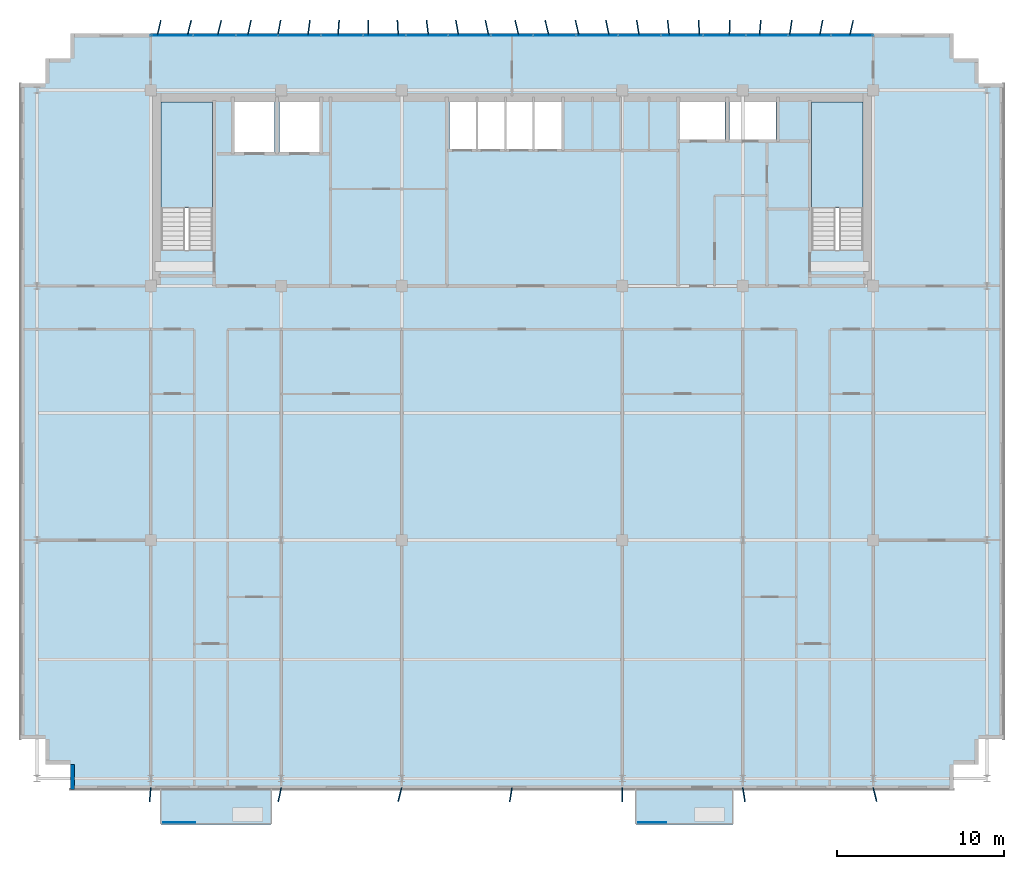
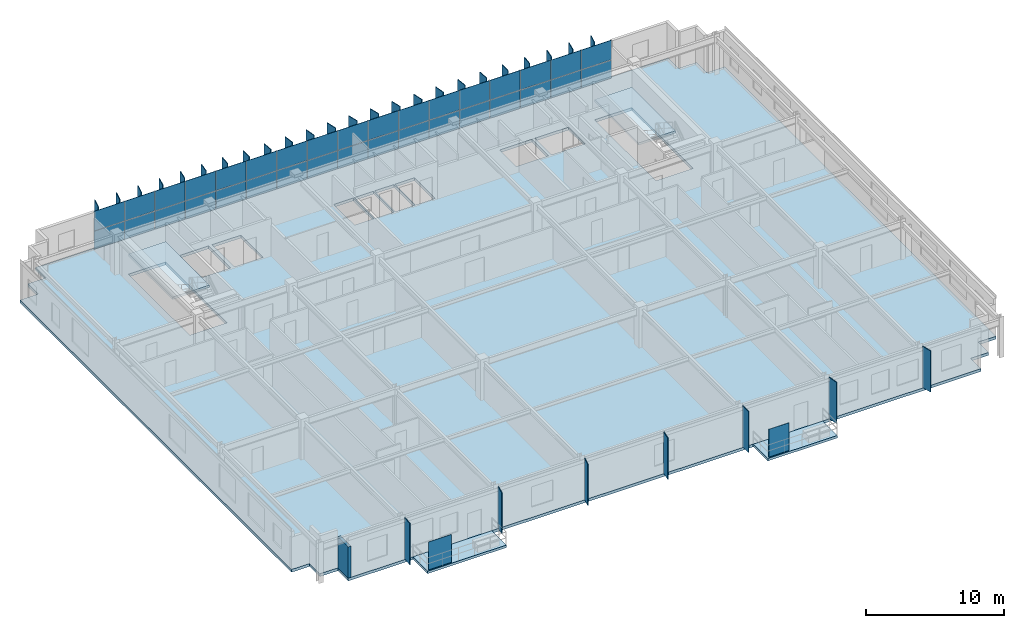
# One storey, part 13 of 20: 67 plates, 5 slabs, 1 wall, 3 elements without a shape of their own.
"""IFC4 building model written with IfcOpenShell, lengths in metres."""

from ifc_helpers import new_model, si_unit, direction, frame, frame_2d, origin, origin_2d, place, context, subcontext, project, spatial, polyline, rectangle, outline, extrude, source, transform, mapped, material, layer, layer_set, type_object, element, aggregate, save


model = new_model("IFC4")

# Units and contexts
model_context = context("Model", 3, precision=1e-05, world=origin(), true_north=direction((0.0, 1.0)))
body_context = subcontext(model_context, "Body", "Model", "MODEL_VIEW")
ifc_project = project(units=[si_unit("LENGTHUNIT", "METRE"), si_unit("AREAUNIT", "SQUARE_METRE"), si_unit("VOLUMEUNIT", "CUBIC_METRE"), si_unit("PLANEANGLEUNIT", "RADIAN"), si_unit("MASSUNIT", "GRAM", prefix="KILO")], contexts=[model_context])

# Site, building, storey
site_placement = place(None, origin())
site = spatial("IfcSite", under=ifc_project, at=site_placement, CompositionType="ELEMENT")
building_placement = place(site_placement, origin())
building = spatial("IfcBuilding", under=site, at=building_placement, Name="Trelvane Seafront Commons", CompositionType="ELEMENT")
storey_placement = place(building_placement, frame((0.0, 0.0, 150.10009765625)))
storey = spatial("IfcBuildingStorey", under=building, at=storey_placement, Name="L39", CompositionType="ELEMENT", Elevation=150.10009765625)

# Slabs
ifc_material_1 = material(Name="Concrete C40/50", Category="concrete")
ifc_layer_1 = layer(ifc_material_1, 0.219970703125, Name="ARCH-BALC-220")
ifc_layer_set_1 = layer_set([ifc_layer_1], Name="Concrete C40/50")
slab_type_1 = type_object("IfcSlabType", Name="ARCH-BALC-220", PredefinedType="FLOOR", material=ifc_layer_set_1)
slab_1_placement = place(storey_placement, frame((0.0, 0.0, -0.22021484375)))
element("IfcSlab", 1, at=slab_1_placement, inside=storey, type_object=slab_type_1, Name="L39 Cantilevered Tree Balcony Loggia 1", PredefinedType="FLOOR", context=body_context, shape_type="SweptSolid", body=[
    extrude(outline(polyline([(16.199951171875, 1.199951171875), (22.800048828125, 1.199951171875), (22.800048828125, 3.300048828125), (16.199951171875, 3.300048828125), (16.199951171875, 1.199951171875)])), origin(), (0.0, 0.0, 1.0), 0.22021484375),
])
slab_2_placement = place(storey_placement, frame((0.0, 0.0, -0.22021484375)))
element("IfcSlab", 2, at=slab_2_placement, inside=storey, type_object=slab_type_1, Name="L39 Cantilevered Tree Balcony Loggia 2", PredefinedType="FLOOR", context=body_context, shape_type="SweptSolid", body=[
    extrude(outline(polyline([(44.60009765625, 1.199951171875), (50.39990234375, 1.199951171875), (50.39990234375, 3.300048828125), (44.60009765625, 3.300048828125), (44.60009765625, 1.199951171875)])), origin(), (0.0, 0.0, 1.0), 0.22021484375),
])

# Stair, slab
stair_type_1 = type_object("IfcStairType", Name="ARCH-STR-ST-1-R20-180", PredefinedType="HALF_TURN_STAIR", material=ifc_material_1)
stair_1_placement = place(storey_placement, origin())
stair_1 = element("IfcStair", 3, at=stair_1_placement, inside=storey, type_object=stair_type_1, Name="L39 West Protected Firefighting Exit Stair ST-1", PredefinedType="HALF_TURN_STAIR")
ifc_layer_2 = layer(ifc_material_1, 0.199951171875, Name="ARCH-LND-200")
ifc_layer_set_2 = layer_set([ifc_layer_2], Name="Concrete C40/50")
slab_type_2 = type_object("IfcSlabType", Name="ARCH-LND-200", PredefinedType="LANDING", material=ifc_layer_set_2)
slab_3_placement = place(storey_placement, frame((0.0, 0.0, 1.599853515625)))
slab_3 = element("IfcSlab", 4, at=slab_3_placement, type_object=slab_type_2, Name="ST-1 landing 1", PredefinedType="LANDING", context=body_context, shape_type="SweptSolid", body=[
    extrude(outline(polyline([(19.300048828125, 38.070068359375), (19.300048828125, 44.39990234375), (16.199951171875, 44.39990234375), (16.199951171875, 38.070068359375), (19.300048828125, 38.070068359375)])), origin(), (0.0, 0.0, 1.0), 0.199951171875),
])
aggregate(stair_1, [slab_3])

stair_type_2 = type_object("IfcStairType", Name="ARCH-STR-ST-2-R20-180", PredefinedType="HALF_TURN_STAIR", material=ifc_material_1)
stair_2_placement = place(storey_placement, origin())
stair_2 = element("IfcStair", 5, at=stair_2_placement, inside=storey, type_object=stair_type_2, Name="L39 East Protected Firefighting Exit Stair ST-2", PredefinedType="HALF_TURN_STAIR")
slab_4_placement = place(storey_placement, frame((0.0, 0.0, 1.599853515625)))
slab_4 = element("IfcSlab", 6, at=slab_4_placement, type_object=slab_type_2, Name="ST-2 landing 1", PredefinedType="LANDING", context=body_context, shape_type="SweptSolid", body=[
    extrude(outline(polyline([(58.199951171875, 38.070068359375), (58.199951171875, 44.39990234375), (55.10009765625, 44.39990234375), (55.10009765625, 38.070068359375), (58.199951171875, 38.070068359375)])), origin(), (0.0, 0.0, 1.0), 0.199951171875),
])
aggregate(stair_2, [slab_4])

# Slab
ifc_material_2 = material(Name="Concrete C50/60", Category="concrete")
ifc_layer_3 = layer(ifc_material_2, 0.25, Name="STR-SLB-Z3-250")
ifc_layer_set_3 = layer_set([ifc_layer_3], Name="Concrete C50/60")
slab_type_3 = type_object("IfcSlabType", Name="STR-SLB-Z3-250", PredefinedType="FLOOR", material=ifc_layer_set_3)
slab_5_placement = place(storey_placement, frame((0.0, 0.0, -0.25)))
element("IfcSlab", 7, at=slab_5_placement, inside=storey, type_object=slab_type_3, Name="L39 Structural Floor Slab", PredefinedType="FLOOR", context=body_context, shape_type="SweptSolid", body=[
    extrude(outline(polyline([(10.800048828125, 3.300048828125), (63.60009765625, 3.300048828125), (63.60009765625, 4.800048828125), (65.10009765625, 4.800048828125), (65.10009765625, 6.300048828125), (66.60009765625, 6.300048828125), (66.60009765625, 45.5), (65.10009765625, 45.5), (65.10009765625, 47.0), (63.60009765625, 47.0), (63.60009765625, 48.5), (10.800048828125, 48.5), (10.800048828125, 47.0), (9.300048828125, 47.0), (9.300048828125, 45.5), (7.800048828125, 45.5), (7.800048828125, 6.300048828125), (9.300048828125, 6.300048828125), (9.300048828125, 4.800048828125), (10.800048828125, 4.800048828125), (10.800048828125, 3.300048828125)]), holes=[polyline([(19.300048828125, 35.550048828125), (16.199951171875, 35.550048828125), (16.199951171875, 44.39990234375), (19.300048828125, 44.39990234375), (19.300048828125, 35.550048828125)]), polyline([(58.199951171875, 35.550048828125), (55.10009765625, 35.550048828125), (55.10009765625, 44.39990234375), (58.199951171875, 44.39990234375), (58.199951171875, 35.550048828125)]), polyline([(23.0, 41.39990234375), (20.60009765625, 41.39990234375), (20.60009765625, 44.60009765625), (23.0, 44.60009765625), (23.0, 41.39990234375)]), polyline([(23.300048828125, 41.39990234375), (23.300048828125, 44.60009765625), (25.699951171875, 44.60009765625), (25.699951171875, 41.39990234375), (23.300048828125, 41.39990234375)]), polyline([(33.449951171875, 41.60009765625), (33.449951171875, 44.60009765625), (35.070068359375, 44.60009765625), (35.070068359375, 41.60009765625), (33.449951171875, 41.60009765625)]), polyline([(36.77001953125, 41.60009765625), (35.14990234375, 41.60009765625), (35.14990234375, 44.60009765625), (36.77001953125, 44.60009765625), (36.77001953125, 41.60009765625)]), polyline([(38.469970703125, 41.60009765625), (36.85009765625, 41.60009765625), (36.85009765625, 44.60009765625), (38.469970703125, 44.60009765625), (38.469970703125, 41.60009765625)]), polyline([(40.169921875, 41.60009765625), (38.550048828125, 41.60009765625), (38.550048828125, 44.60009765625), (40.169921875, 44.60009765625), (40.169921875, 41.60009765625)]), polyline([(47.25, 42.14990234375), (47.25, 44.550048828125), (49.949951171875, 44.550048828125), (49.949951171875, 42.14990234375), (47.25, 42.14990234375)]), polyline([(50.199951171875, 42.14990234375), (50.199951171875, 44.550048828125), (53.0, 44.550048828125), (53.0, 42.14990234375), (50.199951171875, 42.14990234375)])]), origin(), (0.0, 0.0, 1.0), 0.25),
])

# Plates
ifc_material_3 = material(Name="Perforated anodised aluminium screen", Category="aluminium")
ifc_layer_4 = layer(ifc_material_3, 0.01611328125, Name="ARCH-PLATE-SCREEN")
ifc_layer_set_4 = layer_set([ifc_layer_4], Name="Perforated anodised aluminium screen")
plate_type_1 = type_object("IfcPlateType", Name="ARCH-PLATE-SCREEN", PredefinedType="USERDEFINED", material=ifc_layer_set_4)
shared_shape_1 = source(origin(), body_context, "Body", "SweptSolid", [
    extrude(rectangle(XDim=1.9140625, YDim=0.01611328125, at=origin_2d()), origin(), (0.0, 0.0, 1.0), 2.449951171875),
])
plate_1_placement = place(storey_placement, frame((17.306884765625, 1.320068359375, 0.0), z_axis=(0.0, 0.0, 1.0), x_axis=(1.0, 0.0, 0.0)))
element("IfcPlate", 8, at=plate_1_placement, inside=storey, type_object=plate_type_1, Name="SCR-L39-00142", ObjectType="SCREEN", PredefinedType="USERDEFINED", context=body_context, shape_type="MappedRepresentation", body=[
    mapped(shared_shape_1, transform((0.0, 0.0, 0.0), x_axis=(1.0, 0.0, 0.0), y_axis=(0.0, 1.0, 0.0), z_axis=(0.0, 0.0, 1.0), scale=1.0)),
])
shared_shape_2 = source(origin(), body_context, "Body", "SweptSolid", [
    extrude(rectangle(XDim=1.681884765625, YDim=0.01611328125, at=origin_2d()), origin(), (0.0, 0.0, 1.0), 2.449951171875),
])
plate_2_placement = place(storey_placement, frame((45.591064453125, 1.320068359375, 0.0), z_axis=(0.0, 0.0, 1.0), x_axis=(1.0, 0.0, 0.0)))
element("IfcPlate", 9, at=plate_2_placement, inside=storey, type_object=plate_type_1, Name="SCR-L39-00143", ObjectType="SCREEN", PredefinedType="USERDEFINED", context=body_context, shape_type="MappedRepresentation", body=[
    mapped(shared_shape_2, transform((0.0, 0.0, 0.0), x_axis=(1.0, 0.0, 0.0), y_axis=(0.0, 1.0, 0.0), z_axis=(0.0, 0.0, 1.0), scale=1.0)),
])
ifc_material_4 = material(Name="Anodised pale-silver aluminium", Category="aluminium")
ifc_layer_5 = layer(ifc_material_4, 0.06005859375, Name="ARCH-PLATE-FIN900")
ifc_layer_set_5 = layer_set([ifc_layer_5], Name="Anodised pale-silver aluminium")
plate_type_2 = type_object("IfcPlateType", Name="ARCH-PLATE-FIN900", PredefinedType="USERDEFINED", material=ifc_layer_set_5)
shared_shape_3 = source(origin(), body_context, "Body", "SweptSolid", [
    extrude(rectangle(XDim=0.89990234375, YDim=0.06005859375, at=origin_2d()), origin(), (0.0, 0.0, 1.0), 3.639892578125),
])
for number, where, z_axis, x_axis, name in (
    (10, (16.1015625, 48.83837890625, -0.02001953125), (0.0, 0.0, 1.0), (0.225558123616, 0.974229712579, 0.0), "FIN-L39-01061"),
    (11, (17.908203125, 48.836669921875, -0.02001953125), (0.0, 0.0, 1.0), (0.240678679058, 0.970604849281, 0.0), "FIN-L39-01062"),
    (12, (19.707275390625, 48.8369140625, -0.02001953125), (0.0, 0.0, 1.0), (0.238455489153, 0.971153427473, 0.0), "FIN-L39-01063"),
    (13, (21.498291015625, 48.839111328125, -0.02001953125), (0.0, 0.0, 1.0), (0.218671231224, 0.975798592249, 0.0), "FIN-L39-01064"),
    (14, (23.2822265625, 48.84228515625, -0.02001953125), (0.0, 0.0, 1.0), (0.182892752389, 0.983132870534, 0.0), "FIN-L39-01065"),
    (15, (25.06005859375, 48.845947265625, -0.02001953125), (0.0, 0.0, 1.0), (0.133328911051, 0.991071844761, 0.0), "FIN-L39-01066"),
    (16, (26.8330078125, 48.848876953125, -0.02001953125), (0.0, 0.0, 1.0), (0.073441850729, 0.997299500933, 0.0), "FIN-L39-01067"),
    (17, (28.603515625, 48.85009765625, -0.02001953125), (0.0, 0.0, 1.0), (0.007888806392, 0.999968882883, 0.0), "FIN-L39-01068"),
    (18, (30.373779296875, 48.84912109375, -0.02001953125), (0.0, 0.0, 1.0), (-0.058220912512, 0.998303723997, 0.0), "FIN-L39-01069"),
    (19, (32.14599609375, 48.8466796875, -0.02001953125), (0.0, 0.0, 1.0), (-0.119779897261, 0.992800471501, 0.0), "FIN-L39-01070"),
    (20, (33.922607421875, 48.84326171875, -0.02001953125), (0.0, 0.0, 1.0), (-0.172212784267, 0.98505977328, 0.0), "FIN-L39-01071"),
    (21, (35.704833984375, 48.83984375, -0.02001953125), (0.0, 0.0, 1.0), (-0.211561912079, 0.977364597966, 0.0), "FIN-L39-01072"),
    (22, (37.494140625, 48.83740234375, -0.02001953125), (0.0, 0.0, 1.0), (-0.235233717224, 0.97193883464, 0.0), "FIN-L39-01073"),
    (23, (39.291259765625, 48.836669921875, -0.02001953125), (0.0, 0.0, 1.0), (-0.241777946669, 0.970331605434, 0.0), "FIN-L39-01074"),
    (24, (41.09619140625, 48.837890625, -0.02001953125), (0.0, 0.0, 1.0), (-0.230674744154, 0.973030915444, 0.0), "FIN-L39-01075"),
    (25, (42.90869140625, 48.840576171875, -0.02001953125), (0.0, 0.0, 1.0), (-0.202671077426, 0.979246871006, 0.0), "FIN-L39-01076"),
    (26, (44.728271484375, 48.84423828125, -0.02001953125), (0.0, 0.0, 1.0), (-0.159550386184, 0.987189786347, 0.0), "FIN-L39-01077"),
    (27, (46.552978515625, 48.847412109375, -0.02001953125), (0.0, 0.0, 1.0), (-0.104441674462, 0.994531013411, 0.0), "FIN-L39-01078"),
    (28, (48.381591796875, 48.849609375, -0.02001953125), (0.0, 0.0, 1.0), (-0.041113601765, 0.999154478422, 0.0), "FIN-L39-01079"),
    (29, (50.21142578125, 48.849853515625, -0.02001953125), (0.0, 0.0, 1.0), (0.025334233951, 0.999679036786, 0.0), "FIN-L39-01080"),
    (30, (52.040283203125, 48.84814453125, -0.02001953125), (0.0, 0.0, 1.0), (0.08988515189, 0.995952137138, 0.0), "FIN-L39-01081"),
    (31, (53.8662109375, 48.84521484375, -0.02001953125), (0.0, 0.0, 1.0), (0.147438276694, 0.989071258588, 0.0), "FIN-L39-01082"),
    (32, (55.687255859375, 48.841552734375, -0.02001953125), (0.0, 0.0, 1.0), (0.193659055706, 0.98106889164, 0.0), "FIN-L39-01083"),
    (33, (57.50146484375, 48.83837890625, -0.02001953125), (0.0, 0.0, 1.0), (0.225558123616, 0.974229712579, 0.0), "FIN-L39-01084"),
):
    element("IfcPlate", number, at=place(storey_placement, frame(where, z_axis=z_axis, x_axis=x_axis)), inside=storey, type_object=plate_type_2, Name=name, ObjectType="FIN", PredefinedType="USERDEFINED", context=body_context, shape_type="MappedRepresentation", body=[
        mapped(shared_shape_3, transform((0.0, 0.0, 0.0), x_axis=(1.0, 0.0, 0.0), y_axis=(0.0, 1.0, 0.0), z_axis=(0.0, 0.0, 1.0), scale=1.0)),
    ])
shared_shape_4 = source(origin(), body_context, "Body", "SweptSolid", [
    extrude(rectangle(XDim=0.85009765625, YDim=0.06005859375, at=origin_2d()), origin(), (0.0, 0.0, 1.0), 3.639892578125),
])
for number, where, z_axis, x_axis, name in (
    (34, (15.566650390625, 2.976318359375, -0.02001953125), (0.0, 0.0, 1.0), (-0.078234640322, -0.996934973333, 0.0), "FIN-S-L39-01085"),
    (35, (23.311767578125, 2.984130859375, -0.02001953125), (0.0, 0.0, 1.0), (-0.207414871844, -0.978253071009, 0.0), "FIN-S-L39-01086"),
    (36, (30.498291015625, 2.9873046875, -0.02001953125), (0.0, 0.0, 1.0), (-0.239046993767, -0.971007999334, 0.0), "FIN-S-L39-01087"),
    (37, (37.132080078125, 2.98046875, -0.02001953125), (0.0, 0.0, 1.0), (-0.159646871809, -0.987174187427, 0.0), "FIN-S-L39-01088"),
    (38, (43.79833984375, 2.97509765625, -0.02001953125), (0.0, 0.0, 1.0), (-0.003764666304, -0.999992913619, 0.0), "FIN-S-L39-01089"),
    (39, (51.0654296875, 2.97998046875, -0.02001953125), (0.0, 0.0, 1.0), (0.153877487159, -0.988089934644, 0.0), "FIN-S-L39-01090"),
    (40, (58.90087890625, 2.9873046875, -0.02001953125), (0.0, 0.0, 1.0), (0.237770657007, -0.971321324108, 0.0), "FIN-S-L39-01091"),
):
    element("IfcPlate", number, at=place(storey_placement, frame(where, z_axis=z_axis, x_axis=x_axis)), inside=storey, type_object=plate_type_2, Name=name, ObjectType="FIN", PredefinedType="USERDEFINED", context=body_context, shape_type="MappedRepresentation", body=[
        mapped(shared_shape_4, transform((0.0, 0.0, 0.0), x_axis=(1.0, 0.0, 0.0), y_axis=(0.0, 1.0, 0.0), z_axis=(0.0, 0.0, 1.0), scale=1.0)),
    ])

# Curtain wall, plates
curtain_wall_type = type_object("IfcCurtainWallType", Name="ARCH-CW5-UPTOWER", PredefinedType="NOTDEFINED", material=ifc_material_4)
curtain_wall_placement = place(storey_placement, origin())
curtain_wall = element("IfcCurtainWall", 41, at=curtain_wall_placement, inside=storey, type_object=curtain_wall_type, Name="CW-L39-0066", PredefinedType="NOTDEFINED")
ifc_material_5 = material(Name="Low-E coastal double glazing", Category="glass")
ifc_layer_6 = layer(ifc_material_5, 0.033935546875, Name="ARCH-CW-GLAZ-34")
ifc_layer_set_6 = layer_set([ifc_layer_6], Name="Low-E coastal double glazing")
plate_type_3 = type_object("IfcPlateType", Name="ARCH-CW-GLAZ-34", PredefinedType="CURTAIN_PANEL", material=ifc_layer_set_6)
shared_shape_5 = source(origin(), body_context, "Body", "SweptSolid", [
    extrude(rectangle(XDim=2.51708984375, YDim=0.033935546875, at=origin_2d()), origin(), (0.0, 0.0, 1.0), 1.590087890625),
])
plate_3_placement = place(storey_placement, frame((16.87060546875, 48.3701171875, 0.0), z_axis=(0.0, 0.0, 1.0), x_axis=(1.0, 0.0, 0.0)))
plate_3 = element("IfcPlate", 42, at=plate_3_placement, type_object=plate_type_3, Name="CW-L39-0066-P00-1", PredefinedType="CURTAIN_PANEL", context=body_context, shape_type="MappedRepresentation", body=[
    mapped(shared_shape_5, transform((0.0, 0.0, 0.0), x_axis=(1.0, 0.0, 0.0), y_axis=(0.0, 1.0, 0.0), z_axis=(0.0, 0.0, 1.0), scale=1.0)),
])
plate_4_placement = place(storey_placement, frame((19.411865234375, 48.3701171875, 0.0), z_axis=(0.0, 0.0, 1.0), x_axis=(1.0, 0.0, 0.0)))
plate_4 = element("IfcPlate", 43, at=plate_4_placement, type_object=plate_type_3, Name="CW-L39-0066-P01-1", PredefinedType="CURTAIN_PANEL", context=body_context, shape_type="MappedRepresentation", body=[
    mapped(shared_shape_5, transform((0.0, 0.0, 0.0), x_axis=(1.0, 0.0, 0.0), y_axis=(0.0, 1.0, 0.0), z_axis=(0.0, 0.0, 1.0), scale=1.0)),
])
plate_5_placement = place(storey_placement, frame((21.952880859375, 48.3701171875, 0.0), z_axis=(0.0, 0.0, 1.0), x_axis=(1.0, 0.0, 0.0)))
plate_5 = element("IfcPlate", 44, at=plate_5_placement, type_object=plate_type_3, Name="CW-L39-0066-P02-1", PredefinedType="CURTAIN_PANEL", context=body_context, shape_type="MappedRepresentation", body=[
    mapped(shared_shape_5, transform((0.0, 0.0, 0.0), x_axis=(1.0, 0.0, 0.0), y_axis=(0.0, 1.0, 0.0), z_axis=(0.0, 0.0, 1.0), scale=1.0)),
])
plate_6_placement = place(storey_placement, frame((24.494140625, 48.3701171875, 0.0), z_axis=(0.0, 0.0, 1.0), x_axis=(1.0, 0.0, 0.0)))
plate_6 = element("IfcPlate", 45, at=plate_6_placement, type_object=plate_type_3, Name="CW-L39-0066-P03-1", PredefinedType="CURTAIN_PANEL", context=body_context, shape_type="MappedRepresentation", body=[
    mapped(shared_shape_5, transform((0.0, 0.0, 0.0), x_axis=(1.0, 0.0, 0.0), y_axis=(0.0, 1.0, 0.0), z_axis=(0.0, 0.0, 1.0), scale=1.0)),
])
plate_7_placement = place(storey_placement, frame((27.035400390625, 48.3701171875, 0.0), z_axis=(0.0, 0.0, 1.0), x_axis=(1.0, 0.0, 0.0)))
plate_7 = element("IfcPlate", 46, at=plate_7_placement, type_object=plate_type_3, Name="CW-L39-0066-P04-1", PredefinedType="CURTAIN_PANEL", context=body_context, shape_type="MappedRepresentation", body=[
    mapped(shared_shape_5, transform((0.0, 0.0, 0.0), x_axis=(1.0, 0.0, 0.0), y_axis=(0.0, 1.0, 0.0), z_axis=(0.0, 0.0, 1.0), scale=1.0)),
])
plate_8_placement = place(storey_placement, frame((29.576416015625, 48.3701171875, 0.0), z_axis=(0.0, 0.0, 1.0), x_axis=(1.0, 0.0, 0.0)))
plate_8 = element("IfcPlate", 47, at=plate_8_placement, type_object=plate_type_3, Name="CW-L39-0066-P05-1", PredefinedType="CURTAIN_PANEL", context=body_context, shape_type="MappedRepresentation", body=[
    mapped(shared_shape_5, transform((0.0, 0.0, 0.0), x_axis=(1.0, 0.0, 0.0), y_axis=(0.0, 1.0, 0.0), z_axis=(0.0, 0.0, 1.0), scale=1.0)),
])
plate_9_placement = place(storey_placement, frame((32.11767578125, 48.3701171875, 0.0), z_axis=(0.0, 0.0, 1.0), x_axis=(1.0, 0.0, 0.0)))
plate_9 = element("IfcPlate", 48, at=plate_9_placement, type_object=plate_type_3, Name="CW-L39-0066-P06-1", PredefinedType="CURTAIN_PANEL", context=body_context, shape_type="MappedRepresentation", body=[
    mapped(shared_shape_5, transform((0.0, 0.0, 0.0), x_axis=(1.0, 0.0, 0.0), y_axis=(0.0, 1.0, 0.0), z_axis=(0.0, 0.0, 1.0), scale=1.0)),
])
plate_10_placement = place(storey_placement, frame((34.65869140625, 48.3701171875, 0.0), z_axis=(0.0, 0.0, 1.0), x_axis=(1.0, 0.0, 0.0)))
plate_10 = element("IfcPlate", 49, at=plate_10_placement, type_object=plate_type_3, Name="CW-L39-0066-P07-1", PredefinedType="CURTAIN_PANEL", context=body_context, shape_type="MappedRepresentation", body=[
    mapped(shared_shape_5, transform((0.0, 0.0, 0.0), x_axis=(1.0, 0.0, 0.0), y_axis=(0.0, 1.0, 0.0), z_axis=(0.0, 0.0, 1.0), scale=1.0)),
])
plate_11_placement = place(storey_placement, frame((37.199951171875, 48.3701171875, 0.0), z_axis=(0.0, 0.0, 1.0), x_axis=(1.0, 0.0, 0.0)))
plate_11 = element("IfcPlate", 50, at=plate_11_placement, type_object=plate_type_3, Name="CW-L39-0066-P08-1", PredefinedType="CURTAIN_PANEL", context=body_context, shape_type="MappedRepresentation", body=[
    mapped(shared_shape_5, transform((0.0, 0.0, 0.0), x_axis=(1.0, 0.0, 0.0), y_axis=(0.0, 1.0, 0.0), z_axis=(0.0, 0.0, 1.0), scale=1.0)),
])
plate_12_placement = place(storey_placement, frame((39.7412109375, 48.3701171875, 0.0), z_axis=(0.0, 0.0, 1.0), x_axis=(1.0, 0.0, 0.0)))
plate_12 = element("IfcPlate", 51, at=plate_12_placement, type_object=plate_type_3, Name="CW-L39-0066-P09-1", PredefinedType="CURTAIN_PANEL", context=body_context, shape_type="MappedRepresentation", body=[
    mapped(shared_shape_5, transform((0.0, 0.0, 0.0), x_axis=(1.0, 0.0, 0.0), y_axis=(0.0, 1.0, 0.0), z_axis=(0.0, 0.0, 1.0), scale=1.0)),
])
plate_13_placement = place(storey_placement, frame((42.282470703125, 48.3701171875, 0.0), z_axis=(0.0, 0.0, 1.0), x_axis=(1.0, 0.0, 0.0)))
plate_13 = element("IfcPlate", 52, at=plate_13_placement, type_object=plate_type_3, Name="CW-L39-0066-P10-1", PredefinedType="CURTAIN_PANEL", context=body_context, shape_type="MappedRepresentation", body=[
    mapped(shared_shape_5, transform((0.0, 0.0, 0.0), x_axis=(1.0, 0.0, 0.0), y_axis=(0.0, 1.0, 0.0), z_axis=(0.0, 0.0, 1.0), scale=1.0)),
])
plate_14_placement = place(storey_placement, frame((44.823486328125, 48.3701171875, 0.0), z_axis=(0.0, 0.0, 1.0), x_axis=(1.0, 0.0, 0.0)))
plate_14 = element("IfcPlate", 53, at=plate_14_placement, type_object=plate_type_3, Name="CW-L39-0066-P11-1", PredefinedType="CURTAIN_PANEL", context=body_context, shape_type="MappedRepresentation", body=[
    mapped(shared_shape_5, transform((0.0, 0.0, 0.0), x_axis=(1.0, 0.0, 0.0), y_axis=(0.0, 1.0, 0.0), z_axis=(0.0, 0.0, 1.0), scale=1.0)),
])
plate_15_placement = place(storey_placement, frame((47.36474609375, 48.3701171875, 0.0), z_axis=(0.0, 0.0, 1.0), x_axis=(1.0, 0.0, 0.0)))
plate_15 = element("IfcPlate", 54, at=plate_15_placement, type_object=plate_type_3, Name="CW-L39-0066-P12-1", PredefinedType="CURTAIN_PANEL", context=body_context, shape_type="MappedRepresentation", body=[
    mapped(shared_shape_5, transform((0.0, 0.0, 0.0), x_axis=(1.0, 0.0, 0.0), y_axis=(0.0, 1.0, 0.0), z_axis=(0.0, 0.0, 1.0), scale=1.0)),
])
plate_16_placement = place(storey_placement, frame((49.906005859375, 48.3701171875, 0.0), z_axis=(0.0, 0.0, 1.0), x_axis=(1.0, 0.0, 0.0)))
plate_16 = element("IfcPlate", 55, at=plate_16_placement, type_object=plate_type_3, Name="CW-L39-0066-P13-1", PredefinedType="CURTAIN_PANEL", context=body_context, shape_type="MappedRepresentation", body=[
    mapped(shared_shape_5, transform((0.0, 0.0, 0.0), x_axis=(1.0, 0.0, 0.0), y_axis=(0.0, 1.0, 0.0), z_axis=(0.0, 0.0, 1.0), scale=1.0)),
])
plate_17_placement = place(storey_placement, frame((52.447021484375, 48.3701171875, 0.0), z_axis=(0.0, 0.0, 1.0), x_axis=(1.0, 0.0, 0.0)))
plate_17 = element("IfcPlate", 56, at=plate_17_placement, type_object=plate_type_3, Name="CW-L39-0066-P14-1", PredefinedType="CURTAIN_PANEL", context=body_context, shape_type="MappedRepresentation", body=[
    mapped(shared_shape_5, transform((0.0, 0.0, 0.0), x_axis=(1.0, 0.0, 0.0), y_axis=(0.0, 1.0, 0.0), z_axis=(0.0, 0.0, 1.0), scale=1.0)),
])
plate_18_placement = place(storey_placement, frame((54.98828125, 48.3701171875, 0.0), z_axis=(0.0, 0.0, 1.0), x_axis=(1.0, 0.0, 0.0)))
plate_18 = element("IfcPlate", 57, at=plate_18_placement, type_object=plate_type_3, Name="CW-L39-0066-P15-1", PredefinedType="CURTAIN_PANEL", context=body_context, shape_type="MappedRepresentation", body=[
    mapped(shared_shape_5, transform((0.0, 0.0, 0.0), x_axis=(1.0, 0.0, 0.0), y_axis=(0.0, 1.0, 0.0), z_axis=(0.0, 0.0, 1.0), scale=1.0)),
])
plate_19_placement = place(storey_placement, frame((57.529296875, 48.3701171875, 0.0), z_axis=(0.0, 0.0, 1.0), x_axis=(1.0, 0.0, 0.0)))
plate_19 = element("IfcPlate", 58, at=plate_19_placement, type_object=plate_type_3, Name="CW-L39-0066-P16-1", PredefinedType="CURTAIN_PANEL", context=body_context, shape_type="MappedRepresentation", body=[
    mapped(shared_shape_5, transform((0.0, 0.0, 0.0), x_axis=(1.0, 0.0, 0.0), y_axis=(0.0, 1.0, 0.0), z_axis=(0.0, 0.0, 1.0), scale=1.0)),
])
shared_shape_6 = source(origin(), body_context, "Body", "SweptSolid", [
    extrude(rectangle(XDim=2.51708984375, YDim=0.033935546875, at=origin_2d()), origin(), (0.0, 0.0, 1.0), 1.72412109375),
])
plate_20_placement = place(storey_placement, frame((16.87060546875, 48.3701171875, 1.625732421875), z_axis=(0.0, 0.0, 1.0), x_axis=(1.0, 0.0, 0.0)))
plate_20 = element("IfcPlate", 59, at=plate_20_placement, type_object=plate_type_3, Name="CW-L39-0066-P00-2", PredefinedType="CURTAIN_PANEL", context=body_context, shape_type="MappedRepresentation", body=[
    mapped(shared_shape_6, transform((0.0, 0.0, 0.0), x_axis=(1.0, 0.0, 0.0), y_axis=(0.0, 1.0, 0.0), z_axis=(0.0, 0.0, 1.0), scale=1.0)),
])
plate_21_placement = place(storey_placement, frame((19.411865234375, 48.3701171875, 1.625732421875), z_axis=(0.0, 0.0, 1.0), x_axis=(1.0, 0.0, 0.0)))
plate_21 = element("IfcPlate", 60, at=plate_21_placement, type_object=plate_type_3, Name="CW-L39-0066-P01-2", PredefinedType="CURTAIN_PANEL", context=body_context, shape_type="MappedRepresentation", body=[
    mapped(shared_shape_6, transform((0.0, 0.0, 0.0), x_axis=(1.0, 0.0, 0.0), y_axis=(0.0, 1.0, 0.0), z_axis=(0.0, 0.0, 1.0), scale=1.0)),
])
plate_22_placement = place(storey_placement, frame((21.952880859375, 48.3701171875, 1.625732421875), z_axis=(0.0, 0.0, 1.0), x_axis=(1.0, 0.0, 0.0)))
plate_22 = element("IfcPlate", 61, at=plate_22_placement, type_object=plate_type_3, Name="CW-L39-0066-P02-2", PredefinedType="CURTAIN_PANEL", context=body_context, shape_type="MappedRepresentation", body=[
    mapped(shared_shape_6, transform((0.0, 0.0, 0.0), x_axis=(1.0, 0.0, 0.0), y_axis=(0.0, 1.0, 0.0), z_axis=(0.0, 0.0, 1.0), scale=1.0)),
])
plate_23_placement = place(storey_placement, frame((24.494140625, 48.3701171875, 1.625732421875), z_axis=(0.0, 0.0, 1.0), x_axis=(1.0, 0.0, 0.0)))
plate_23 = element("IfcPlate", 62, at=plate_23_placement, type_object=plate_type_3, Name="CW-L39-0066-P03-2", PredefinedType="CURTAIN_PANEL", context=body_context, shape_type="MappedRepresentation", body=[
    mapped(shared_shape_6, transform((0.0, 0.0, 0.0), x_axis=(1.0, 0.0, 0.0), y_axis=(0.0, 1.0, 0.0), z_axis=(0.0, 0.0, 1.0), scale=1.0)),
])
plate_24_placement = place(storey_placement, frame((27.035400390625, 48.3701171875, 1.625732421875), z_axis=(0.0, 0.0, 1.0), x_axis=(1.0, 0.0, 0.0)))
plate_24 = element("IfcPlate", 63, at=plate_24_placement, type_object=plate_type_3, Name="CW-L39-0066-P04-2", PredefinedType="CURTAIN_PANEL", context=body_context, shape_type="MappedRepresentation", body=[
    mapped(shared_shape_6, transform((0.0, 0.0, 0.0), x_axis=(1.0, 0.0, 0.0), y_axis=(0.0, 1.0, 0.0), z_axis=(0.0, 0.0, 1.0), scale=1.0)),
])
plate_25_placement = place(storey_placement, frame((29.576416015625, 48.3701171875, 1.625732421875), z_axis=(0.0, 0.0, 1.0), x_axis=(1.0, 0.0, 0.0)))
plate_25 = element("IfcPlate", 64, at=plate_25_placement, type_object=plate_type_3, Name="CW-L39-0066-P05-2", PredefinedType="CURTAIN_PANEL", context=body_context, shape_type="MappedRepresentation", body=[
    mapped(shared_shape_6, transform((0.0, 0.0, 0.0), x_axis=(1.0, 0.0, 0.0), y_axis=(0.0, 1.0, 0.0), z_axis=(0.0, 0.0, 1.0), scale=1.0)),
])
plate_26_placement = place(storey_placement, frame((32.11767578125, 48.3701171875, 1.625732421875), z_axis=(0.0, 0.0, 1.0), x_axis=(1.0, 0.0, 0.0)))
plate_26 = element("IfcPlate", 65, at=plate_26_placement, type_object=plate_type_3, Name="CW-L39-0066-P06-2", PredefinedType="CURTAIN_PANEL", context=body_context, shape_type="MappedRepresentation", body=[
    mapped(shared_shape_6, transform((0.0, 0.0, 0.0), x_axis=(1.0, 0.0, 0.0), y_axis=(0.0, 1.0, 0.0), z_axis=(0.0, 0.0, 1.0), scale=1.0)),
])
plate_27_placement = place(storey_placement, frame((34.65869140625, 48.3701171875, 1.625732421875), z_axis=(0.0, 0.0, 1.0), x_axis=(1.0, 0.0, 0.0)))
plate_27 = element("IfcPlate", 66, at=plate_27_placement, type_object=plate_type_3, Name="CW-L39-0066-P07-2", PredefinedType="CURTAIN_PANEL", context=body_context, shape_type="MappedRepresentation", body=[
    mapped(shared_shape_6, transform((0.0, 0.0, 0.0), x_axis=(1.0, 0.0, 0.0), y_axis=(0.0, 1.0, 0.0), z_axis=(0.0, 0.0, 1.0), scale=1.0)),
])
plate_28_placement = place(storey_placement, frame((37.199951171875, 48.3701171875, 1.625732421875), z_axis=(0.0, 0.0, 1.0), x_axis=(1.0, 0.0, 0.0)))
plate_28 = element("IfcPlate", 67, at=plate_28_placement, type_object=plate_type_3, Name="CW-L39-0066-P08-2", PredefinedType="CURTAIN_PANEL", context=body_context, shape_type="MappedRepresentation", body=[
    mapped(shared_shape_6, transform((0.0, 0.0, 0.0), x_axis=(1.0, 0.0, 0.0), y_axis=(0.0, 1.0, 0.0), z_axis=(0.0, 0.0, 1.0), scale=1.0)),
])
plate_29_placement = place(storey_placement, frame((39.7412109375, 48.3701171875, 1.625732421875), z_axis=(0.0, 0.0, 1.0), x_axis=(1.0, 0.0, 0.0)))
plate_29 = element("IfcPlate", 68, at=plate_29_placement, type_object=plate_type_3, Name="CW-L39-0066-P09-2", PredefinedType="CURTAIN_PANEL", context=body_context, shape_type="MappedRepresentation", body=[
    mapped(shared_shape_6, transform((0.0, 0.0, 0.0), x_axis=(1.0, 0.0, 0.0), y_axis=(0.0, 1.0, 0.0), z_axis=(0.0, 0.0, 1.0), scale=1.0)),
])
plate_30_placement = place(storey_placement, frame((42.282470703125, 48.3701171875, 1.625732421875), z_axis=(0.0, 0.0, 1.0), x_axis=(1.0, 0.0, 0.0)))
plate_30 = element("IfcPlate", 69, at=plate_30_placement, type_object=plate_type_3, Name="CW-L39-0066-P10-2", PredefinedType="CURTAIN_PANEL", context=body_context, shape_type="MappedRepresentation", body=[
    mapped(shared_shape_6, transform((0.0, 0.0, 0.0), x_axis=(1.0, 0.0, 0.0), y_axis=(0.0, 1.0, 0.0), z_axis=(0.0, 0.0, 1.0), scale=1.0)),
])
plate_31_placement = place(storey_placement, frame((44.823486328125, 48.3701171875, 1.625732421875), z_axis=(0.0, 0.0, 1.0), x_axis=(1.0, 0.0, 0.0)))
plate_31 = element("IfcPlate", 70, at=plate_31_placement, type_object=plate_type_3, Name="CW-L39-0066-P11-2", PredefinedType="CURTAIN_PANEL", context=body_context, shape_type="MappedRepresentation", body=[
    mapped(shared_shape_6, transform((0.0, 0.0, 0.0), x_axis=(1.0, 0.0, 0.0), y_axis=(0.0, 1.0, 0.0), z_axis=(0.0, 0.0, 1.0), scale=1.0)),
])
plate_32_placement = place(storey_placement, frame((47.36474609375, 48.3701171875, 1.625732421875), z_axis=(0.0, 0.0, 1.0), x_axis=(1.0, 0.0, 0.0)))
plate_32 = element("IfcPlate", 71, at=plate_32_placement, type_object=plate_type_3, Name="CW-L39-0066-P12-2", PredefinedType="CURTAIN_PANEL", context=body_context, shape_type="MappedRepresentation", body=[
    mapped(shared_shape_6, transform((0.0, 0.0, 0.0), x_axis=(1.0, 0.0, 0.0), y_axis=(0.0, 1.0, 0.0), z_axis=(0.0, 0.0, 1.0), scale=1.0)),
])
plate_33_placement = place(storey_placement, frame((49.906005859375, 48.3701171875, 1.625732421875), z_axis=(0.0, 0.0, 1.0), x_axis=(1.0, 0.0, 0.0)))
plate_33 = element("IfcPlate", 72, at=plate_33_placement, type_object=plate_type_3, Name="CW-L39-0066-P13-2", PredefinedType="CURTAIN_PANEL", context=body_context, shape_type="MappedRepresentation", body=[
    mapped(shared_shape_6, transform((0.0, 0.0, 0.0), x_axis=(1.0, 0.0, 0.0), y_axis=(0.0, 1.0, 0.0), z_axis=(0.0, 0.0, 1.0), scale=1.0)),
])
plate_34_placement = place(storey_placement, frame((52.447021484375, 48.3701171875, 1.625732421875), z_axis=(0.0, 0.0, 1.0), x_axis=(1.0, 0.0, 0.0)))
plate_34 = element("IfcPlate", 73, at=plate_34_placement, type_object=plate_type_3, Name="CW-L39-0066-P14-2", PredefinedType="CURTAIN_PANEL", context=body_context, shape_type="MappedRepresentation", body=[
    mapped(shared_shape_6, transform((0.0, 0.0, 0.0), x_axis=(1.0, 0.0, 0.0), y_axis=(0.0, 1.0, 0.0), z_axis=(0.0, 0.0, 1.0), scale=1.0)),
])
plate_35_placement = place(storey_placement, frame((54.98828125, 48.3701171875, 1.625732421875), z_axis=(0.0, 0.0, 1.0), x_axis=(1.0, 0.0, 0.0)))
plate_35 = element("IfcPlate", 74, at=plate_35_placement, type_object=plate_type_3, Name="CW-L39-0066-P15-2", PredefinedType="CURTAIN_PANEL", context=body_context, shape_type="MappedRepresentation", body=[
    mapped(shared_shape_6, transform((0.0, 0.0, 0.0), x_axis=(1.0, 0.0, 0.0), y_axis=(0.0, 1.0, 0.0), z_axis=(0.0, 0.0, 1.0), scale=1.0)),
])
plate_36_placement = place(storey_placement, frame((57.529296875, 48.3701171875, 1.625732421875), z_axis=(0.0, 0.0, 1.0), x_axis=(1.0, 0.0, 0.0)))
plate_36 = element("IfcPlate", 75, at=plate_36_placement, type_object=plate_type_3, Name="CW-L39-0066-P16-2", PredefinedType="CURTAIN_PANEL", context=body_context, shape_type="MappedRepresentation", body=[
    mapped(shared_shape_6, transform((0.0, 0.0, 0.0), x_axis=(1.0, 0.0, 0.0), y_axis=(0.0, 1.0, 0.0), z_axis=(0.0, 0.0, 1.0), scale=1.0)),
])
aggregate(curtain_wall, [plate_3, plate_20, plate_4, plate_21, plate_5, plate_22, plate_6, plate_23, plate_7, plate_24, plate_8, plate_25, plate_9, plate_26, plate_10, plate_27, plate_11, plate_28, plate_12, plate_29, plate_13, plate_30, plate_14, plate_31, plate_15, plate_32, plate_16, plate_33, plate_17, plate_34, plate_18, plate_35, plate_19, plate_36])

# Wall
ifc_material_6 = material(Name="Precast concrete C40/50", Category="concrete")
ifc_layer_7 = layer(ifc_material_6, 0.239990234375, Name="ARCH-WALL-EXT240")
ifc_layer_set_7 = layer_set([ifc_layer_7], Name="Precast concrete C40/50")
wall_type = type_object("IfcWallType", Name="ARCH-WALL-EXT240", PredefinedType="SOLIDWALL", material=ifc_layer_set_7)
wall_placement = place(storey_placement, frame((10.919921875, 3.300048828125, 0.0), z_axis=(0.0, 0.0, 1.0), x_axis=(0.0, 1.0, 0.0)))
element("IfcWall", 76, at=wall_placement, inside=storey, type_object=wall_type, Name="EW-L39-00778", PredefinedType="SOLIDWALL", context=body_context, shape_type="SweptSolid", body=[
    extrude(rectangle(XDim=1.5, YDim=0.239990234375, at=frame_2d((0.75, 0.0))), origin(), (0.0, 0.0, 1.0), 2.75),
])

save(model, "model.ifc")
